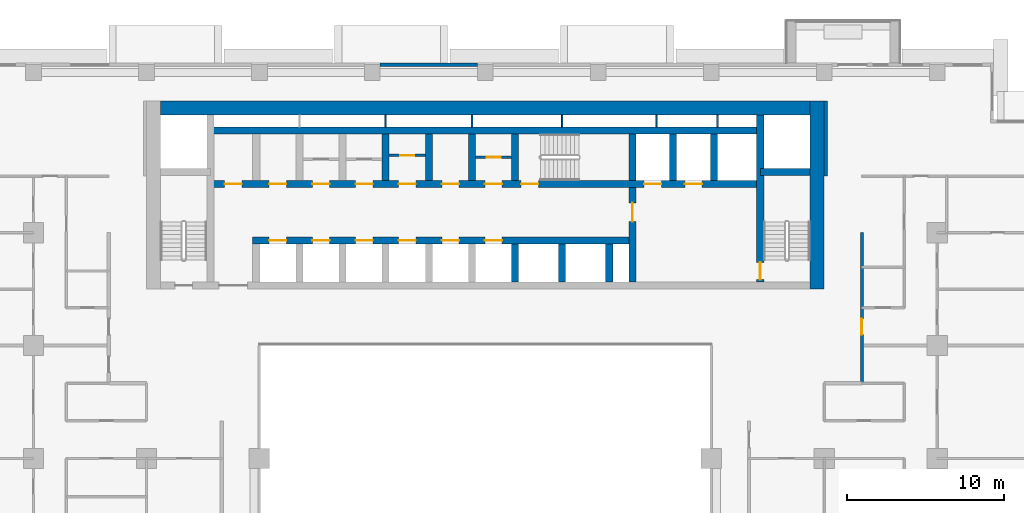
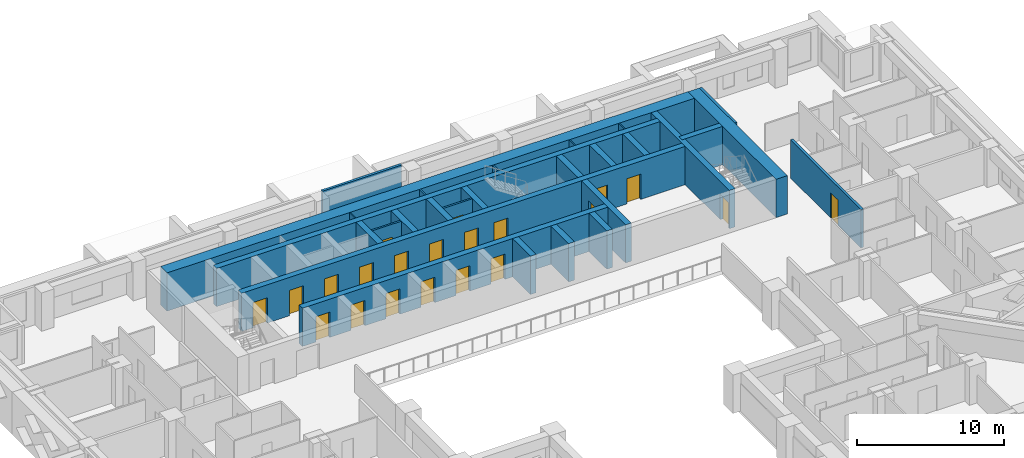
# One storey, part 10 of 16: 28 walls, 21 doors, 21 openings.
"""IFC4 building model written with IfcOpenShell, lengths in metres."""

import ifcopenshell
import ifcopenshell.guid

model = None  # the IFC model being written
_history = None  # IfcOwnerHistory: only IFC2X3 demands one
_inside = {}  # id of a spatial element -> (the spatial element, [elements in it])
_under = {}  # id of a project, library or spatial element -> (it, [spatial elements below it])
_declared = {}  # id of a project -> (the project, [libraries it declares])
_typed = {}  # id of a type object -> (the type object, [elements of that type])
_made_of = {}  # id of a material, layer set ... -> (it, [elements and type objects made of it])


def new_model(schema):
    """Start an empty IFC model of exactly this schema.

    Asked for "IFC4X3", IfcOpenShell would pick the latest addendum, in which some entities
    have other attributes; the version numbers below select the first issue.
    IFC2X3 requires an IfcOwnerHistory on every rooted entity: one is made here for all.
    """
    global model, _history
    if schema == "IFC4X3":
        model = ifcopenshell.file(schema_version=(4, 3, 0, 0))
    else:
        model = ifcopenshell.file(schema=schema)
    _inside.clear()
    _under.clear()
    _declared.clear()
    _typed.clear()
    _made_of.clear()
    _history = None
    if model.schema == "IFC2X3":
        org = make("IfcOrganization", Name="unknown")
        user = make(
            "IfcPersonAndOrganization",
            ThePerson=make("IfcPerson", FamilyName="unknown"),
            TheOrganization=org,
        )
        app = make(
            "IfcApplication",
            ApplicationDeveloper=org,
            Version="unknown",
            ApplicationFullName="unknown",
            ApplicationIdentifier="unknown",
        )
        _history = make(
            "IfcOwnerHistory",
            OwningUser=user,
            OwningApplication=app,
            ChangeAction="ADDED",
            CreationDate=0,
        )
    return model


def make(cls, **values):
    """One entity of the class cls with the attributes given. An attribute that is None is left unset."""
    return model.create_entity(
        cls, **{name: value for name, value in values.items() if value is not None}
    )


def rooted(cls, **values):
    """An entity with a GlobalId (a new one), such as an element, a storey or a relation."""
    return make(cls, GlobalId=ifcopenshell.guid.new(), OwnerHistory=_history, **values)


def si_unit(unit_type, name, prefix=None):
    """IfcSIUnit, for example si_unit("LENGTHUNIT", "METRE", prefix="MILLI")."""
    return make("IfcSIUnit", UnitType=unit_type, Prefix=prefix, Name=name)


def assignment(units):
    """IfcUnitAssignment: the units of a project."""
    return None if units is None else make("IfcUnitAssignment", Units=units)


def point(xyz):
    """IfcCartesianPoint."""
    return None if xyz is None else make("IfcCartesianPoint", Coordinates=xyz)


def direction(xyz):
    """IfcDirection."""
    return None if xyz is None else make("IfcDirection", DirectionRatios=xyz)


def frame(location, z_axis=None, x_axis=None):
    """IfcAxis2Placement3D, a coordinate frame: its origin and axes. An axis left out is left unset."""
    return make(
        "IfcAxis2Placement3D",
        Location=point(location),
        Axis=direction(z_axis),
        RefDirection=direction(x_axis),
    )


def frame_2d(location, x_axis=None):
    """IfcAxis2Placement2D, a coordinate frame in the plane: its origin and x axis."""
    return make(
        "IfcAxis2Placement2D", Location=point(location), RefDirection=direction(x_axis)
    )


def origin():
    """The frame at (0, 0, 0) with its axes left unset."""
    return frame((0.0, 0.0, 0.0))


def place(relative_to, where):
    """IfcLocalPlacement: puts the frame where relative to a parent placement (None: the world)."""
    return make(
        "IfcLocalPlacement", PlacementRelTo=relative_to, RelativePlacement=where
    )


def context(
    kind, dimensions, precision=None, world=None, true_north=None, identifier=None
):
    """IfcGeometricRepresentationContext, for example the 3D "Model" context."""
    return make(
        "IfcGeometricRepresentationContext",
        ContextIdentifier=identifier,
        ContextType=kind,
        CoordinateSpaceDimension=dimensions,
        Precision=precision,
        WorldCoordinateSystem=world,
        TrueNorth=true_north,
    )


def subcontext(parent, identifier, kind, view, scale=None):
    """IfcGeometricRepresentationSubContext, for example "Body" below "Model"."""
    return make(
        "IfcGeometricRepresentationSubContext",
        ContextIdentifier=identifier,
        ContextType=kind,
        ParentContext=parent,
        TargetScale=scale,
        TargetView=view,
    )


def project(units=None, contexts=None):
    """IfcProject with its units and contexts."""
    return rooted(
        "IfcProject",
        Name="project",
        RepresentationContexts=contexts,
        UnitsInContext=assignment(units),
    )


def spatial(cls, under=None, at=None, **own):
    """A site, building, storey or space (cls), placed at a placement, below another one or the project."""
    s = rooted(cls, ObjectPlacement=at, **own)
    if under is not None:
        _under.setdefault(under.id(), (under, []))[1].append(s)
    return s


def profile(cls, at=None, kind="AREA", **sizes):
    """A parametric profile (cls). Its sizes go by their IFC names, for example OverallWidth=200.0."""
    return make(cls, ProfileType=kind, Position=at, **sizes)


def rectangle(**sizes):
    """IfcRectangleProfileDef."""
    return profile("IfcRectangleProfileDef", **sizes)


def extrude(swept, where, along, depth):
    """IfcExtrudedAreaSolid: the profile swept, set in the frame where, extruded along a direction by depth."""
    return make(
        "IfcExtrudedAreaSolid",
        SweptArea=swept,
        Position=where,
        ExtrudedDirection=direction(along),
        Depth=depth,
    )


def shape(context_of_items, identifier, shape_type, items):
    """IfcShapeRepresentation: the items that make up one representation, for example the "Body"."""
    return make(
        "IfcShapeRepresentation",
        ContextOfItems=context_of_items,
        RepresentationIdentifier=identifier,
        RepresentationType=shape_type,
        Items=items,
    )


def material(Name=None, Category=None):
    """IfcMaterial."""
    return make("IfcMaterial", Name=Name, Category=Category)


def layer(
    of_material, thickness, ventilated=None, Name=None, Category=None, Priority=None
):
    """IfcMaterialLayer: one layer of a wall or slab, of a material (None: an air gap)."""
    return make(
        "IfcMaterialLayer",
        Material=of_material,
        LayerThickness=thickness,
        IsVentilated=ventilated,
        Name=Name,
        Category=Category,
        Priority=Priority,
    )


def layer_set(layers, Name=None):
    """IfcMaterialLayerSet."""
    return make("IfcMaterialLayerSet", MaterialLayers=layers, LayerSetName=Name)


def made_of(thing, what):
    """Note that an element or type object is made of a material, layer set ...; save() writes the relation."""
    if what is not None:
        _made_of.setdefault(what.id(), (what, []))[1].append(thing)
    return thing


def type_object(cls, material=None, **own):
    """A type object (cls), such as IfcWallType, which elements share."""
    return made_of(rooted(cls, **own), material)


def element(
    cls,
    number,
    at=None,
    inside=None,
    cuts=None,
    type_object=None,
    material=None,
    context=None,
    identifier="Body",
    shape_type=None,
    held_by="IfcProductDefinitionShape",
    body=None,
    shapes=None,
    **own,
):
    """One element of the class cls, such as IfcWall. Its Tag is "e" and its number.

    at: its placement. inside: the storey or other place that contains it. cuts: it is an
    opening in that element (IfcRelVoidsElement). A single representation is given by context,
    identifier, shape_type and body (its items); several are given by shapes. held_by: the class
    of the entity that holds the representations. save() writes the other relations.
    """
    e = rooted(cls, Tag="e%d" % number, ObjectPlacement=at, **own)
    if body is not None:
        shapes = [shape(context, identifier, shape_type, body)]
    if shapes is not None:
        e.Representation = make(held_by, Representations=shapes)
    if inside is not None:
        _inside.setdefault(inside.id(), (inside, []))[1].append(e)
    if cuts is not None:
        rooted(
            "IfcRelVoidsElement", RelatingBuildingElement=cuts, RelatedOpeningElement=e
        )
    if type_object is not None:
        _typed.setdefault(type_object.id(), (type_object, []))[1].append(e)
    return made_of(e, material)


def fill(opening, filler):
    """IfcRelFillsElement: the door or window that sits in an opening."""
    return rooted(
        "IfcRelFillsElement",
        RelatingOpeningElement=opening,
        RelatedBuildingElement=filler,
    )


def aggregate(whole, parts):
    """IfcRelAggregates: a whole, such as a stair, and the parts it consists of."""
    return rooted("IfcRelAggregates", RelatingObject=whole, RelatedObjects=parts)


def save(model, path):
    """Write the relations noted so far, then the file.

    IfcRelAggregates (storeys below a building ...), IfcRelContainedInSpatialStructure (elements
    in a storey), IfcRelDefinesByType, IfcRelAssociatesMaterial and IfcRelDeclares: one each for
    every whole, place, type object, material and project.
    """
    for whole, parts in _under.values():
        aggregate(whole, parts)
    for where, things in _inside.values():
        rooted(
            "IfcRelContainedInSpatialStructure",
            RelatedElements=things,
            RelatingStructure=where,
        )
    for kind, things in _typed.values():
        rooted("IfcRelDefinesByType", RelatedObjects=things, RelatingType=kind)
    for what, things in _made_of.values():
        rooted("IfcRelAssociatesMaterial", RelatedObjects=things, RelatingMaterial=what)
    for by, libraries in _declared.values():
        rooted("IfcRelDeclares", RelatingContext=by, RelatedDefinitions=libraries)
    model.write(path)


model = new_model("IFC4")

# Units and contexts
model_context = context("Model", 3, precision=1e-05, world=origin(), true_north=direction((0.0, 1.0)))
body_context = subcontext(model_context, "Body", "Model", "MODEL_VIEW")
ifc_project = project(units=[si_unit("LENGTHUNIT", "METRE"), si_unit("AREAUNIT", "SQUARE_METRE"), si_unit("VOLUMEUNIT", "CUBIC_METRE"), si_unit("PLANEANGLEUNIT", "RADIAN"), si_unit("MASSUNIT", "GRAM", prefix="KILO")], contexts=[model_context])

# Site, building, storey
site_placement = place(None, origin())
site = spatial("IfcSite", under=ifc_project, at=site_placement, CompositionType="ELEMENT")
building_placement = place(site_placement, origin())
building = spatial("IfcBuilding", under=site, at=building_placement, Name="Saffron Iwan Residences", CompositionType="ELEMENT")
storey_placement = place(building_placement, frame((0.0, 0.0, 69.0)))
storey = spatial("IfcBuildingStorey", under=building, at=storey_placement, Name="L17", CompositionType="ELEMENT", Elevation=69.0)

# Wall, opening, door
ifc_material_1 = material(Name="Fire-rated plasterboard partition")
ifc_layer_1 = layer(ifc_material_1, 0.14990234375)
ifc_layer_set_1 = layer_set([ifc_layer_1], Name="Fire-rated plasterboard partition")
wall_type_1 = type_object("IfcWallType", Name="Core partition 150", PredefinedType="PARTITIONING", material=ifc_layer_set_1)
wall_1_placement = place(storey_placement, frame((44.27490234375, 74.51806640625, 0.0), z_axis=(0.0, 0.0, 1.0), x_axis=(1.0, 0.0, 0.0)))
wall_1 = element("IfcWall", 1, at=wall_1_placement, inside=storey, type_object=wall_type_1, Name="Core partition P03", PredefinedType="PARTITIONING", context=body_context, shape_type="SweptSolid", body=[
    extrude(rectangle(XDim=2.300048828125, YDim=0.14990234375, at=frame_2d((1.14990234375, 0.0))), origin(), (0.0, 0.0, 1.0), 3.179931640625),
])
opening_1_placement = place(wall_1_placement, frame((0.699951171875, 0.0, 0.0)))
opening_1 = element("IfcOpeningElement", 2, at=opening_1_placement, cuts=wall_1, Name="Opening SB", PredefinedType="OPENING", context=body_context, shape_type="SweptSolid", body=[
    extrude(rectangle(XDim=0.89990234375, YDim=2.10009765625, at=frame_2d((0.449951171875, 1.050048828125))), frame((0.0, 0.0849609375, 0.0), z_axis=(0.0, -1.0, 0.0), x_axis=(1.0, 0.0, 0.0)), (0.0, 0.0, 1.0), 0.169921875),
])
ifc_material_2 = material(Name="Steel fire door", Category="steel")
door_type_1 = type_object("IfcDoorType", Name="Store door 900", OperationType="NOTDEFINED", PredefinedType="DOOR", material=ifc_material_2)
door_1_placement = place(opening_1_placement, origin())
door_1 = element("IfcDoor", 3, at=door_1_placement, inside=storey, type_object=door_type_1, Name="Door Spares store", OperationType="SINGLE_SWING_LEFT", OverallHeight=2.10009765625, OverallWidth=0.89990234375, PredefinedType="DOOR", context=body_context, shape_type="SweptSolid", body=[
    extrude(rectangle(XDim=0.89990234375, YDim=2.10009765625, at=frame_2d((0.449951171875, 1.050048828125))), frame((0.0, 0.02490234375, 0.0), z_axis=(0.0, -1.0, 0.0), x_axis=(1.0, 0.0, 0.0)), (0.0, 0.0, 1.0), 0.050048828125),
])
fill(opening_1, door_1)

wall_2_placement = place(storey_placement, frame((49.77490234375, 74.39990234375, 0.0), z_axis=(0.0, 0.0, 1.0), x_axis=(1.0, 0.0, 0.0)))
wall_2 = element("IfcWall", 4, at=wall_2_placement, inside=storey, type_object=wall_type_1, Name="Core partition P04", PredefinedType="PARTITIONING", context=body_context, shape_type="SweptSolid", body=[
    extrude(rectangle(XDim=2.300048828125, YDim=0.14990234375, at=frame_2d((1.14990234375, 0.0))), origin(), (0.0, 0.0, 1.0), 3.179931640625),
])
opening_2_placement = place(wall_2_placement, frame((0.699951171875, 0.0, 0.0)))
opening_2 = element("IfcOpeningElement", 5, at=opening_2_placement, cuts=wall_2, Name="Opening SB", PredefinedType="OPENING", context=body_context, shape_type="SweptSolid", body=[
    extrude(rectangle(XDim=0.89990234375, YDim=2.10009765625, at=frame_2d((0.449951171875, 1.050048828125))), frame((0.0, 0.0849609375, 0.0), z_axis=(0.0, -1.0, 0.0), x_axis=(1.0, 0.0, 0.0)), (0.0, 0.0, 1.0), 0.169921875),
])
door_2_placement = place(opening_2_placement, origin())
door_2 = element("IfcDoor", 6, at=door_2_placement, inside=storey, type_object=door_type_1, Name="Door Records store", OperationType="SINGLE_SWING_RIGHT", OverallHeight=2.10009765625, OverallWidth=0.89990234375, PredefinedType="DOOR", context=body_context, shape_type="SweptSolid", body=[
    extrude(rectangle(XDim=0.89990234375, YDim=2.10009765625, at=frame_2d((0.449951171875, 1.050048828125))), frame((0.0, 0.02490234375, 0.0), z_axis=(0.0, -1.0, 0.0), x_axis=(1.0, 0.0, 0.0)), (0.0, 0.0, 1.0), 0.050048828125),
])
fill(opening_2, door_2)

# Walls
ifc_material_3 = material(Name="Concrete C40/50", Category="concrete")
ifc_layer_2 = layer(ifc_material_3, 0.199951171875)
ifc_layer_set_2 = layer_set([ifc_layer_2], Name="Concrete C40/50")
wall_type_2 = type_object("IfcWallType", Name="EXTERNAL WALL 200", PredefinedType="SOLIDWALL", material=ifc_layer_set_2)
wall_3_placement = place(storey_placement, frame((49.89990234375, 80.300048828125, 0.0), z_axis=(0.0, 0.0, 1.0), x_axis=(-1.0, 0.0, 0.0)))
element("IfcWall", 7, at=wall_3_placement, inside=storey, type_object=wall_type_2, Name="External wall L17 F5.5", PredefinedType="SOLIDWALL", context=body_context, shape_type="SweptSolid", body=[
    extrude(rectangle(XDim=6.199951171875, YDim=0.199951171875, at=frame_2d((3.10009765625, 0.0))), origin(), (0.0, 0.0, 1.0), 3.179931640625),
])
ifc_material_4 = material(Name="Fire-rated gypsum board wall")
ifc_layer_3 = layer(ifc_material_4, 0.199951171875)
ifc_layer_set_3 = layer_set([ifc_layer_3], Name="Fire-rated gypsum board wall")
wall_type_3 = type_object("IfcWallType", Name="Gallery wall 200", PredefinedType="SOLIDWALL", material=ifc_layer_set_3)
wall_4_placement = place(storey_placement, frame((72.10009765625, 73.199951171875, 0.0), z_axis=(0.0, 0.0, 1.0), x_axis=(0.0, 1.0, 0.0)))
element("IfcWall", 8, at=wall_4_placement, inside=storey, type_object=wall_type_3, Name="W-L17-CORR-v72-73.2", PredefinedType="SOLIDWALL", context=body_context, shape_type="SweptSolid", body=[
    extrude(rectangle(XDim=4.800048828125, YDim=0.199951171875, at=frame_2d((2.39990234375, 0.0))), origin(), (0.0, 0.0, 1.0), 3.179931640625),
])

# Wall, opening, door
wall_5_placement = place(storey_placement, frame((74.39990234375, 60.0, 0.0), z_axis=(0.0, 0.0, 1.0), x_axis=(0.0, 1.0, 0.0)))
wall_5 = element("IfcWall", 9, at=wall_5_placement, inside=storey, type_object=wall_type_3, Name="W-L17-CORR-v74.4-60", PredefinedType="SOLIDWALL", context=body_context, shape_type="SweptSolid", body=[
    extrude(rectangle(XDim=9.60009765625, YDim=0.199951171875, at=frame_2d((4.800048828125, 0.0))), origin(), (0.0, 0.0, 1.0), 3.179931640625),
])
opening_3_placement = place(wall_5_placement, frame((3.10009765625, 0.0, 0.0)))
opening_3 = element("IfcOpeningElement", 10, at=opening_3_placement, cuts=wall_5, Name="Opening FD1", PredefinedType="OPENING", context=body_context, shape_type="SweptSolid", body=[
    extrude(rectangle(XDim=1.0, YDim=2.10009765625, at=frame_2d((0.5, 1.050048828125))), frame((0.0, 0.10986328125, 0.0), z_axis=(0.0, -1.0, 0.0), x_axis=(1.0, 0.0, 0.0)), (0.0, 0.0, 1.0), 0.219970703125),
])
ifc_material_5 = material(Name="Fire-rated timber door", Category="wood")
door_type_2 = type_object("IfcDoorType", Name="FD30S flat entrance door 1000", OperationType="NOTDEFINED", PredefinedType="DOOR", material=ifc_material_5)
door_3_placement = place(opening_3_placement, origin())
door_3 = element("IfcDoor", 11, at=door_3_placement, inside=storey, type_object=door_type_2, Name="Door L17-034", OperationType="SINGLE_SWING_LEFT", OverallHeight=2.10009765625, OverallWidth=1.0, PredefinedType="DOOR", context=body_context, shape_type="SweptSolid", body=[
    extrude(rectangle(XDim=1.0, YDim=2.10009765625, at=frame_2d((0.5, 1.050048828125))), frame((0.0, 0.02490234375, 0.0), z_axis=(0.0, -1.0, 0.0), x_axis=(1.0, 0.0, 0.0)), (0.0, 0.0, 1.0), 0.050048828125),
])
fill(opening_3, door_3)

# Walls
ifc_layer_4 = layer(ifc_material_1, 0.10009765625)
ifc_layer_set_4 = layer_set([ifc_layer_4], Name="Fire-rated plasterboard partition")
wall_type_4 = type_object("IfcWallType", Name="Riser partition 100", PredefinedType="PARTITIONING", material=ifc_layer_set_4)
for number, where, z_axis, x_axis, name in (
    (12, (44.050048828125, 76.324951171875, 0.0), (0.0, 0.0, 1.0), (0.0, 1.0, 0.0), "Core partition P06"),
    (13, (49.550048828125, 76.324951171875, 0.0), (0.0, 0.0, 1.0), (0.0, 1.0, 0.0), "Core partition P07"),
    (14, (55.300048828125, 76.324951171875, 0.0), (0.0, 0.0, 1.0), (0.0, 1.0, 0.0), "Core partition P08"),
    (15, (61.300048828125, 76.324951171875, 0.0), (0.0, 0.0, 1.0), (0.0, 1.0, 0.0), "Core partition P09"),
    (16, (65.199951171875, 76.324951171875, 0.0), (0.0, 0.0, 1.0), (0.0, 1.0, 0.0), "Core partition P10"),
):
    element("IfcWall", number, at=place(storey_placement, frame(where, z_axis=z_axis, x_axis=x_axis)), inside=storey, type_object=wall_type_4, Name=name, PredefinedType="PARTITIONING", context=body_context, shape_type="SweptSolid", body=[
        extrude(rectangle(XDim=0.775146484375, YDim=0.10009765625, at=frame_2d((0.3876953125, 0.0))), origin(), (0.0, 0.0, 1.0), 3.179931640625),
    ])

# Wall, openings, doors
ifc_material_6 = material(Name="Concrete C60/75", Category="concrete")
ifc_layer_5 = layer(ifc_material_6, 0.449951171875)
ifc_layer_set_5 = layer_set([ifc_layer_5], Name="Concrete C60/75")
wall_type_5 = type_object("IfcWallType", Name="WALL CORE 450 C60/75 3180 HIGH", PredefinedType="SHEAR", material=ifc_layer_set_5)
wall_6_placement = place(storey_placement, frame((35.574951171875, 69.10009765625, 0.0), z_axis=(0.0, 0.0, 1.0), x_axis=(1.0, 0.0, 0.0)))
wall_6 = element("IfcWall", 17, at=wall_6_placement, inside=storey, type_object=wall_type_5, Name="Core wall", PredefinedType="SHEAR", context=body_context, shape_type="SweptSolid", body=[
    extrude(rectangle(XDim=24.199951171875, YDim=0.449951171875, at=frame_2d((12.10009765625, 0.0))), origin(), (0.0, 0.0, 1.0), 3.179931640625),
])
opening_4_placement = place(wall_6_placement, frame((1.050048828125, 0.0, 0.0)))
opening_4 = element("IfcOpeningElement", 18, at=opening_4_placement, cuts=wall_6, Name="Opening LD", PredefinedType="OPENING", context=body_context, shape_type="SweptSolid", body=[
    extrude(rectangle(XDim=1.10009765625, YDim=2.10009765625, at=frame_2d((0.550048828125, 1.050048828125))), frame((0.0, 0.23486328125, 0.0), z_axis=(0.0, -1.0, 0.0), x_axis=(1.0, 0.0, 0.0)), (0.0, 0.0, 1.0), 0.469970703125),
])
opening_5_placement = place(wall_6_placement, frame((3.800048828125, 0.0, 0.0)))
opening_5 = element("IfcOpeningElement", 19, at=opening_5_placement, cuts=wall_6, Name="Opening LD", PredefinedType="OPENING", context=body_context, shape_type="SweptSolid", body=[
    extrude(rectangle(XDim=1.10009765625, YDim=2.10009765625, at=frame_2d((0.550048828125, 1.050048828125))), frame((0.0, 0.23486328125, 0.0), z_axis=(0.0, -1.0, 0.0), x_axis=(1.0, 0.0, 0.0)), (0.0, 0.0, 1.0), 0.469970703125),
])
opening_6_placement = place(wall_6_placement, frame((6.550048828125, 0.0, 0.0)))
opening_6 = element("IfcOpeningElement", 20, at=opening_6_placement, cuts=wall_6, Name="Opening LD", PredefinedType="OPENING", context=body_context, shape_type="SweptSolid", body=[
    extrude(rectangle(XDim=1.10009765625, YDim=2.10009765625, at=frame_2d((0.550048828125, 1.050048828125))), frame((0.0, 0.23486328125, 0.0), z_axis=(0.0, -1.0, 0.0), x_axis=(1.0, 0.0, 0.0)), (0.0, 0.0, 1.0), 0.469970703125),
])
opening_7_placement = place(wall_6_placement, frame((9.300048828125, 0.0, 0.0)))
opening_7 = element("IfcOpeningElement", 21, at=opening_7_placement, cuts=wall_6, Name="Opening LD", PredefinedType="OPENING", context=body_context, shape_type="SweptSolid", body=[
    extrude(rectangle(XDim=1.10009765625, YDim=2.10009765625, at=frame_2d((0.550048828125, 1.050048828125))), frame((0.0, 0.23486328125, 0.0), z_axis=(0.0, -1.0, 0.0), x_axis=(1.0, 0.0, 0.0)), (0.0, 0.0, 1.0), 0.469970703125),
])
opening_8_placement = place(wall_6_placement, frame((12.050048828125, 0.0, 0.0)))
opening_8 = element("IfcOpeningElement", 22, at=opening_8_placement, cuts=wall_6, Name="Opening LD", PredefinedType="OPENING", context=body_context, shape_type="SweptSolid", body=[
    extrude(rectangle(XDim=1.10009765625, YDim=2.10009765625, at=frame_2d((0.550048828125, 1.050048828125))), frame((0.0, 0.23486328125, 0.0), z_axis=(0.0, -1.0, 0.0), x_axis=(1.0, 0.0, 0.0)), (0.0, 0.0, 1.0), 0.469970703125),
])
opening_9_placement = place(wall_6_placement, frame((14.800048828125, 0.0, 0.0)))
opening_9 = element("IfcOpeningElement", 23, at=opening_9_placement, cuts=wall_6, Name="Opening LD", PredefinedType="OPENING", context=body_context, shape_type="SweptSolid", body=[
    extrude(rectangle(XDim=1.10009765625, YDim=2.10009765625, at=frame_2d((0.550048828125, 1.050048828125))), frame((0.0, 0.23486328125, 0.0), z_axis=(0.0, -1.0, 0.0), x_axis=(1.0, 0.0, 0.0)), (0.0, 0.0, 1.0), 0.469970703125),
])
door_type_3 = type_object("IfcDoorType", Name="Lift landing door 1100", OperationType="SLIDING_TO_LEFT", PredefinedType="DOOR", material=ifc_material_2)
door_4_placement = place(opening_4_placement, origin())
door_4 = element("IfcDoor", 24, at=door_4_placement, inside=storey, type_object=door_type_3, Name="Landing doors LR1", OperationType="SLIDING_TO_LEFT", OverallHeight=2.10009765625, OverallWidth=1.10009765625, PredefinedType="DOOR", context=body_context, shape_type="SweptSolid", body=[
    extrude(rectangle(XDim=1.10009765625, YDim=2.10009765625, at=frame_2d((0.550048828125, 1.050048828125))), frame((0.0, 0.02490234375, 0.0), z_axis=(0.0, -1.0, 0.0), x_axis=(1.0, 0.0, 0.0)), (0.0, 0.0, 1.0), 0.050048828125),
])
fill(opening_4, door_4)
door_5_placement = place(opening_5_placement, origin())
door_5 = element("IfcDoor", 25, at=door_5_placement, inside=storey, type_object=door_type_3, Name="Landing doors LR2", OperationType="SLIDING_TO_LEFT", OverallHeight=2.10009765625, OverallWidth=1.10009765625, PredefinedType="DOOR", context=body_context, shape_type="SweptSolid", body=[
    extrude(rectangle(XDim=1.10009765625, YDim=2.10009765625, at=frame_2d((0.550048828125, 1.050048828125))), frame((0.0, 0.02490234375, 0.0), z_axis=(0.0, -1.0, 0.0), x_axis=(1.0, 0.0, 0.0)), (0.0, 0.0, 1.0), 0.050048828125),
])
fill(opening_5, door_5)
door_6_placement = place(opening_6_placement, origin())
door_6 = element("IfcDoor", 26, at=door_6_placement, inside=storey, type_object=door_type_3, Name="Landing doors LR3", OperationType="SLIDING_TO_LEFT", OverallHeight=2.10009765625, OverallWidth=1.10009765625, PredefinedType="DOOR", context=body_context, shape_type="SweptSolid", body=[
    extrude(rectangle(XDim=1.10009765625, YDim=2.10009765625, at=frame_2d((0.550048828125, 1.050048828125))), frame((0.0, 0.02490234375, 0.0), z_axis=(0.0, -1.0, 0.0), x_axis=(1.0, 0.0, 0.0)), (0.0, 0.0, 1.0), 0.050048828125),
])
fill(opening_6, door_6)
door_7_placement = place(opening_7_placement, origin())
door_7 = element("IfcDoor", 27, at=door_7_placement, inside=storey, type_object=door_type_3, Name="Landing doors LR4", OperationType="SLIDING_TO_LEFT", OverallHeight=2.10009765625, OverallWidth=1.10009765625, PredefinedType="DOOR", context=body_context, shape_type="SweptSolid", body=[
    extrude(rectangle(XDim=1.10009765625, YDim=2.10009765625, at=frame_2d((0.550048828125, 1.050048828125))), frame((0.0, 0.02490234375, 0.0), z_axis=(0.0, -1.0, 0.0), x_axis=(1.0, 0.0, 0.0)), (0.0, 0.0, 1.0), 0.050048828125),
])
fill(opening_7, door_7)
door_8_placement = place(opening_8_placement, origin())
door_8 = element("IfcDoor", 28, at=door_8_placement, inside=storey, type_object=door_type_3, Name="Landing doors LR5", OperationType="SLIDING_TO_LEFT", OverallHeight=2.10009765625, OverallWidth=1.10009765625, PredefinedType="DOOR", context=body_context, shape_type="SweptSolid", body=[
    extrude(rectangle(XDim=1.10009765625, YDim=2.10009765625, at=frame_2d((0.550048828125, 1.050048828125))), frame((0.0, 0.02490234375, 0.0), z_axis=(0.0, -1.0, 0.0), x_axis=(1.0, 0.0, 0.0)), (0.0, 0.0, 1.0), 0.050048828125),
])
fill(opening_8, door_8)
door_9_placement = place(opening_9_placement, origin())
door_9 = element("IfcDoor", 29, at=door_9_placement, inside=storey, type_object=door_type_3, Name="Landing doors LR6", OperationType="SLIDING_TO_LEFT", OverallHeight=2.10009765625, OverallWidth=1.10009765625, PredefinedType="DOOR", context=body_context, shape_type="SweptSolid", body=[
    extrude(rectangle(XDim=1.10009765625, YDim=2.10009765625, at=frame_2d((0.550048828125, 1.050048828125))), frame((0.0, 0.02490234375, 0.0), z_axis=(0.0, -1.0, 0.0), x_axis=(1.0, 0.0, 0.0)), (0.0, 0.0, 1.0), 0.050048828125),
])
fill(opening_9, door_9)

wall_7_placement = place(storey_placement, frame((32.875, 72.699951171875, 0.0), z_axis=(0.0, 0.0, 1.0), x_axis=(1.0, 0.0, 0.0)))
wall_7 = element("IfcWall", 30, at=wall_7_placement, inside=storey, type_object=wall_type_5, Name="Core wall", PredefinedType="SHEAR", context=body_context, shape_type="SweptSolid", body=[
    extrude(rectangle(XDim=35.050048828125, YDim=0.449951171875, at=frame_2d((17.52490234375, 0.0))), origin(), (0.0, 0.0, 1.0), 3.179931640625),
])
opening_10_placement = place(wall_7_placement, frame((19.800048828125, 0.0, 0.0)))
opening_10 = element("IfcOpeningElement", 31, at=opening_10_placement, cuts=wall_7, Name="Opening SD", PredefinedType="OPENING", context=body_context, shape_type="SweptSolid", body=[
    extrude(rectangle(XDim=1.10009765625, YDim=2.10009765625, at=frame_2d((0.550048828125, 1.050048828125))), frame((0.0, 0.23486328125, 0.0), z_axis=(0.0, -1.0, 0.0), x_axis=(1.0, 0.0, 0.0)), (0.0, 0.0, 1.0), 0.469970703125),
])
opening_11_placement = place(wall_7_placement, frame((27.64990234375, 0.0, 0.0)))
opening_11 = element("IfcOpeningElement", 32, at=opening_11_placement, cuts=wall_7, Name="Opening LD", PredefinedType="OPENING", context=body_context, shape_type="SweptSolid", body=[
    extrude(rectangle(XDim=1.10009765625, YDim=2.10009765625, at=frame_2d((0.550048828125, 1.050048828125))), frame((0.0, 0.23486328125, 0.0), z_axis=(0.0, -1.0, 0.0), x_axis=(1.0, 0.0, 0.0)), (0.0, 0.0, 1.0), 0.469970703125),
])
opening_12_placement = place(wall_7_placement, frame((30.25, 0.0, 0.0)))
opening_12 = element("IfcOpeningElement", 33, at=opening_12_placement, cuts=wall_7, Name="Opening LD", PredefinedType="OPENING", context=body_context, shape_type="SweptSolid", body=[
    extrude(rectangle(XDim=1.10009765625, YDim=2.10009765625, at=frame_2d((0.550048828125, 1.050048828125))), frame((0.0, 0.23486328125, 0.0), z_axis=(0.0, -1.0, 0.0), x_axis=(1.0, 0.0, 0.0)), (0.0, 0.0, 1.0), 0.469970703125),
])
opening_13_placement = place(wall_7_placement, frame((3.75, 0.0, 0.0)))
opening_13 = element("IfcOpeningElement", 34, at=opening_13_placement, cuts=wall_7, Name="Opening SR", PredefinedType="OPENING", context=body_context, shape_type="SweptSolid", body=[
    extrude(rectangle(XDim=1.10009765625, YDim=2.10009765625, at=frame_2d((0.550048828125, 1.050048828125))), frame((0.0, 0.23486328125, 0.0), z_axis=(0.0, -1.0, 0.0), x_axis=(1.0, 0.0, 0.0)), (0.0, 0.0, 1.0), 0.469970703125),
])
opening_14_placement = place(wall_7_placement, frame((6.5, 0.0, 0.0)))
opening_14 = element("IfcOpeningElement", 35, at=opening_14_placement, cuts=wall_7, Name="Opening SR", PredefinedType="OPENING", context=body_context, shape_type="SweptSolid", body=[
    extrude(rectangle(XDim=1.10009765625, YDim=2.10009765625, at=frame_2d((0.550048828125, 1.050048828125))), frame((0.0, 0.23486328125, 0.0), z_axis=(0.0, -1.0, 0.0), x_axis=(1.0, 0.0, 0.0)), (0.0, 0.0, 1.0), 0.469970703125),
])
opening_15_placement = place(wall_7_placement, frame((9.25, 0.0, 0.0)))
opening_15 = element("IfcOpeningElement", 36, at=opening_15_placement, cuts=wall_7, Name="Opening SR", PredefinedType="OPENING", context=body_context, shape_type="SweptSolid", body=[
    extrude(rectangle(XDim=1.10009765625, YDim=2.10009765625, at=frame_2d((0.550048828125, 1.050048828125))), frame((0.0, 0.23486328125, 0.0), z_axis=(0.0, -1.0, 0.0), x_axis=(1.0, 0.0, 0.0)), (0.0, 0.0, 1.0), 0.469970703125),
])
opening_16_placement = place(wall_7_placement, frame((12.0, 0.0, 0.0)))
opening_16 = element("IfcOpeningElement", 37, at=opening_16_placement, cuts=wall_7, Name="Opening SR", PredefinedType="OPENING", context=body_context, shape_type="SweptSolid", body=[
    extrude(rectangle(XDim=1.10009765625, YDim=2.10009765625, at=frame_2d((0.550048828125, 1.050048828125))), frame((0.0, 0.23486328125, 0.0), z_axis=(0.0, -1.0, 0.0), x_axis=(1.0, 0.0, 0.0)), (0.0, 0.0, 1.0), 0.469970703125),
])
opening_17_placement = place(wall_7_placement, frame((14.75, 0.0, 0.0)))
opening_17 = element("IfcOpeningElement", 38, at=opening_17_placement, cuts=wall_7, Name="Opening SR", PredefinedType="OPENING", context=body_context, shape_type="SweptSolid", body=[
    extrude(rectangle(XDim=1.10009765625, YDim=2.10009765625, at=frame_2d((0.550048828125, 1.050048828125))), frame((0.0, 0.23486328125, 0.0), z_axis=(0.0, -1.0, 0.0), x_axis=(1.0, 0.0, 0.0)), (0.0, 0.0, 1.0), 0.469970703125),
])
opening_18_placement = place(wall_7_placement, frame((17.5, 0.0, 0.0)))
opening_18 = element("IfcOpeningElement", 39, at=opening_18_placement, cuts=wall_7, Name="Opening SR", PredefinedType="OPENING", context=body_context, shape_type="SweptSolid", body=[
    extrude(rectangle(XDim=1.10009765625, YDim=2.10009765625, at=frame_2d((0.550048828125, 1.050048828125))), frame((0.0, 0.23486328125, 0.0), z_axis=(0.0, -1.0, 0.0), x_axis=(1.0, 0.0, 0.0)), (0.0, 0.0, 1.0), 0.469970703125),
])
opening_19_placement = place(wall_7_placement, frame((0.91259765625, 0.0, 0.0)))
opening_19 = element("IfcOpeningElement", 40, at=opening_19_placement, cuts=wall_7, Name="Opening SR", PredefinedType="OPENING", context=body_context, shape_type="SweptSolid", body=[
    extrude(rectangle(XDim=1.10009765625, YDim=2.10009765625, at=frame_2d((0.550048828125, 1.050048828125))), frame((0.0, 0.23486328125, 0.0), z_axis=(0.0, -1.0, 0.0), x_axis=(1.0, 0.0, 0.0)), (0.0, 0.0, 1.0), 0.469970703125),
])
door_10_placement = place(opening_11_placement, origin())
door_10 = element("IfcDoor", 41, at=door_10_placement, inside=storey, type_object=door_type_3, Name="Landing doors FF1", OperationType="SLIDING_TO_LEFT", OverallHeight=2.10009765625, OverallWidth=1.10009765625, PredefinedType="DOOR", context=body_context, shape_type="SweptSolid", body=[
    extrude(rectangle(XDim=1.10009765625, YDim=2.10009765625, at=frame_2d((0.550048828125, 1.050048828125))), frame((0.0, 0.02490234375, 0.0), z_axis=(0.0, -1.0, 0.0), x_axis=(1.0, 0.0, 0.0)), (0.0, 0.0, 1.0), 0.050048828125),
])
fill(opening_11, door_10)
door_11_placement = place(opening_12_placement, origin())
door_11 = element("IfcDoor", 42, at=door_11_placement, inside=storey, type_object=door_type_3, Name="Landing doors FF2", OperationType="SLIDING_TO_LEFT", OverallHeight=2.10009765625, OverallWidth=1.10009765625, PredefinedType="DOOR", context=body_context, shape_type="SweptSolid", body=[
    extrude(rectangle(XDim=1.10009765625, YDim=2.10009765625, at=frame_2d((0.550048828125, 1.050048828125))), frame((0.0, 0.02490234375, 0.0), z_axis=(0.0, -1.0, 0.0), x_axis=(1.0, 0.0, 0.0)), (0.0, 0.0, 1.0), 0.050048828125),
])
fill(opening_12, door_11)
door_type_4 = type_object("IfcDoorType", Name="Service door 1100", OperationType="NOTDEFINED", PredefinedType="DOOR", material=ifc_material_2)
door_12_placement = place(opening_13_placement, origin())
door_12 = element("IfcDoor", 43, at=door_12_placement, inside=storey, type_object=door_type_4, Name="Door Furniture store", OperationType="SINGLE_SWING_LEFT", OverallHeight=2.10009765625, OverallWidth=1.10009765625, PredefinedType="DOOR", context=body_context, shape_type="SweptSolid", body=[
    extrude(rectangle(XDim=1.10009765625, YDim=2.10009765625, at=frame_2d((0.550048828125, 1.050048828125))), frame((0.0, 0.02490234375, 0.0), z_axis=(0.0, -1.0, 0.0), x_axis=(1.0, 0.0, 0.0)), (0.0, 0.0, 1.0), 0.050048828125),
])
fill(opening_13, door_12)
door_13_placement = place(opening_14_placement, origin())
door_13 = element("IfcDoor", 44, at=door_13_placement, inside=storey, type_object=door_type_4, Name="Door Housekeeping store", OperationType="SINGLE_SWING_LEFT", OverallHeight=2.10009765625, OverallWidth=1.10009765625, PredefinedType="DOOR", context=body_context, shape_type="SweptSolid", body=[
    extrude(rectangle(XDim=1.10009765625, YDim=2.10009765625, at=frame_2d((0.550048828125, 1.050048828125))), frame((0.0, 0.02490234375, 0.0), z_axis=(0.0, -1.0, 0.0), x_axis=(1.0, 0.0, 0.0)), (0.0, 0.0, 1.0), 0.050048828125),
])
fill(opening_14, door_13)
door_14_placement = place(opening_15_placement, origin())
door_14 = element("IfcDoor", 45, at=door_14_placement, inside=storey, type_object=door_type_4, Name="Door Cleaner's store", OperationType="SINGLE_SWING_LEFT", OverallHeight=2.10009765625, OverallWidth=1.10009765625, PredefinedType="DOOR", context=body_context, shape_type="SweptSolid", body=[
    extrude(rectangle(XDim=1.10009765625, YDim=2.10009765625, at=frame_2d((0.550048828125, 1.050048828125))), frame((0.0, 0.02490234375, 0.0), z_axis=(0.0, -1.0, 0.0), x_axis=(1.0, 0.0, 0.0)), (0.0, 0.0, 1.0), 0.050048828125),
])
fill(opening_15, door_14)
door_15_placement = place(opening_16_placement, origin())
door_15 = element("IfcDoor", 46, at=door_15_placement, inside=storey, type_object=door_type_4, Name="Door Trolley store", OperationType="SINGLE_SWING_LEFT", OverallHeight=2.10009765625, OverallWidth=1.10009765625, PredefinedType="DOOR", context=body_context, shape_type="SweptSolid", body=[
    extrude(rectangle(XDim=1.10009765625, YDim=2.10009765625, at=frame_2d((0.550048828125, 1.050048828125))), frame((0.0, 0.02490234375, 0.0), z_axis=(0.0, -1.0, 0.0), x_axis=(1.0, 0.0, 0.0)), (0.0, 0.0, 1.0), 0.050048828125),
])
fill(opening_16, door_15)
door_16_placement = place(opening_17_placement, origin())
door_16 = element("IfcDoor", 47, at=door_16_placement, inside=storey, type_object=door_type_4, Name="Door Communications room", OperationType="SINGLE_SWING_LEFT", OverallHeight=2.10009765625, OverallWidth=1.10009765625, PredefinedType="DOOR", context=body_context, shape_type="SweptSolid", body=[
    extrude(rectangle(XDim=1.10009765625, YDim=2.10009765625, at=frame_2d((0.550048828125, 1.050048828125))), frame((0.0, 0.02490234375, 0.0), z_axis=(0.0, -1.0, 0.0), x_axis=(1.0, 0.0, 0.0)), (0.0, 0.0, 1.0), 0.050048828125),
])
fill(opening_17, door_16)
door_17_placement = place(opening_18_placement, origin())
door_17 = element("IfcDoor", 48, at=door_17_placement, inside=storey, type_object=door_type_4, Name="Door Switch room", OperationType="SINGLE_SWING_LEFT", OverallHeight=2.10009765625, OverallWidth=1.10009765625, PredefinedType="DOOR", context=body_context, shape_type="SweptSolid", body=[
    extrude(rectangle(XDim=1.10009765625, YDim=2.10009765625, at=frame_2d((0.550048828125, 1.050048828125))), frame((0.0, 0.02490234375, 0.0), z_axis=(0.0, -1.0, 0.0), x_axis=(1.0, 0.0, 0.0)), (0.0, 0.0, 1.0), 0.050048828125),
])
fill(opening_18, door_17)
door_18_placement = place(opening_19_placement, origin())
door_18 = element("IfcDoor", 49, at=door_18_placement, inside=storey, type_object=door_type_4, Name="Door Caretaker's room", OperationType="SINGLE_SWING_LEFT", OverallHeight=2.10009765625, OverallWidth=1.10009765625, PredefinedType="DOOR", context=body_context, shape_type="SweptSolid", body=[
    extrude(rectangle(XDim=1.10009765625, YDim=2.10009765625, at=frame_2d((0.550048828125, 1.050048828125))), frame((0.0, 0.02490234375, 0.0), z_axis=(0.0, -1.0, 0.0), x_axis=(1.0, 0.0, 0.0)), (0.0, 0.0, 1.0), 0.050048828125),
])
fill(opening_19, door_18)
door_type_5 = type_object("IfcDoorType", Name="Stair door 1100", OperationType="NOTDEFINED", PredefinedType="DOOR", material=ifc_material_2)
door_19_placement = place(opening_10_placement, origin())
door_19 = element("IfcDoor", 50, at=door_19_placement, inside=storey, type_object=door_type_5, Name="Stair door ST-C", OperationType="SINGLE_SWING_LEFT", OverallHeight=2.10009765625, OverallWidth=1.10009765625, PredefinedType="DOOR", context=body_context, shape_type="SweptSolid", body=[
    extrude(rectangle(XDim=1.10009765625, YDim=2.10009765625, at=frame_2d((0.550048828125, 1.050048828125))), frame((0.0, 0.02490234375, 0.0), z_axis=(0.0, -1.0, 0.0), x_axis=(1.0, 0.0, 0.0)), (0.0, 0.0, 1.0), 0.050048828125),
])
fill(opening_10, door_19)

# Walls
wall_8_placement = place(storey_placement, frame((32.875, 76.10009765625, 0.0), z_axis=(0.0, 0.0, 1.0), x_axis=(1.0, 0.0, 0.0)))
element("IfcWall", 51, at=wall_8_placement, inside=storey, type_object=wall_type_5, Name="Core wall", PredefinedType="SHEAR", context=body_context, shape_type="SweptSolid", body=[
    extrude(rectangle(XDim=35.050048828125, YDim=0.449951171875, at=frame_2d((17.52490234375, 0.0))), origin(), (0.0, 0.0, 1.0), 3.179931640625),
])
wall_9_placement = place(storey_placement, frame((67.925048828125, 73.47509765625, 0.0), z_axis=(0.0, 0.0, 1.0), x_axis=(1.0, 0.0, 0.0)))
element("IfcWall", 52, at=wall_9_placement, inside=storey, type_object=wall_type_5, Name="Core wall", PredefinedType="SHEAR", context=body_context, shape_type="SweptSolid", body=[
    extrude(rectangle(XDim=3.175048828125, YDim=0.449951171875, at=frame_2d((1.58740234375, 0.0))), origin(), (0.0, 0.0, 1.0), 3.179931640625),
])

# Wall, opening, door
wall_10_placement = place(storey_placement, frame((67.925048828125, 66.449951171875, 0.0), z_axis=(0.0, 0.0, 1.0), x_axis=(0.0, 1.0, 0.0)))
wall_10 = element("IfcWall", 53, at=wall_10_placement, inside=storey, type_object=wall_type_5, Name="Core wall", PredefinedType="SHEAR", context=body_context, shape_type="SweptSolid", body=[
    extrude(rectangle(XDim=10.650146484375, YDim=0.449951171875, at=frame_2d((5.3251953125, 0.0))), origin(), (0.0, 0.0, 1.0), 3.179931640625),
])
opening_20_placement = place(wall_10_placement, frame((0.14990234375, 0.0, 0.0)))
opening_20 = element("IfcOpeningElement", 54, at=opening_20_placement, cuts=wall_10, Name="Opening SD", PredefinedType="OPENING", context=body_context, shape_type="SweptSolid", body=[
    extrude(rectangle(XDim=1.10009765625, YDim=2.10009765625, at=frame_2d((0.550048828125, 1.050048828125))), frame((0.0, 0.23486328125, 0.0), z_axis=(0.0, -1.0, 0.0), x_axis=(1.0, 0.0, 0.0)), (0.0, 0.0, 1.0), 0.469970703125),
])
door_20_placement = place(opening_20_placement, origin())
door_20 = element("IfcDoor", 55, at=door_20_placement, inside=storey, type_object=door_type_5, Name="Stair door ST-E", OperationType="SINGLE_SWING_LEFT", OverallHeight=2.10009765625, OverallWidth=1.10009765625, PredefinedType="DOOR", context=body_context, shape_type="SweptSolid", body=[
    extrude(rectangle(XDim=1.10009765625, YDim=2.10009765625, at=frame_2d((0.550048828125, 1.050048828125))), frame((0.0, 0.02490234375, 0.0), z_axis=(0.0, -1.0, 0.0), x_axis=(1.0, 0.0, 0.0)), (0.0, 0.0, 1.0), 0.050048828125),
])
fill(opening_20, door_20)

wall_11_placement = place(storey_placement, frame((59.77490234375, 66.449951171875, 0.0), z_axis=(0.0, 0.0, 1.0), x_axis=(0.0, 1.0, 0.0)))
wall_11 = element("IfcWall", 56, at=wall_11_placement, inside=storey, type_object=wall_type_5, Name="Core wall", PredefinedType="SHEAR", context=body_context, shape_type="SweptSolid", body=[
    extrude(rectangle(XDim=6.025146484375, YDim=0.449951171875, at=frame_2d((3.0126953125, 0.0))), origin(), (0.0, 0.0, 1.0), 3.179931640625),
])
opening_21_placement = place(wall_11_placement, frame((3.85009765625, 0.0, 0.0)))
opening_21 = element("IfcOpeningElement", 57, at=opening_21_placement, cuts=wall_11, Name="Opening FD", PredefinedType="OPENING", context=body_context, shape_type="SweptSolid", body=[
    extrude(rectangle(XDim=1.199951171875, YDim=2.10009765625, at=frame_2d((0.60009765625, 1.050048828125))), frame((0.0, 0.23486328125, 0.0), z_axis=(0.0, -1.0, 0.0), x_axis=(1.0, 0.0, 0.0)), (0.0, 0.0, 1.0), 0.469970703125),
])
door_type_6 = type_object("IfcDoorType", Name="Firefighting lobby door 1200", OperationType="NOTDEFINED", PredefinedType="DOOR", material=ifc_material_2)
door_21_placement = place(opening_21_placement, origin())
door_21 = element("IfcDoor", 58, at=door_21_placement, inside=storey, type_object=door_type_6, Name="Firefighting lobby door", OperationType="SINGLE_SWING_RIGHT", OverallHeight=2.10009765625, OverallWidth=1.199951171875, PredefinedType="DOOR", context=body_context, shape_type="SweptSolid", body=[
    extrude(rectangle(XDim=1.199951171875, YDim=2.10009765625, at=frame_2d((0.60009765625, 1.050048828125))), frame((0.0, 0.02490234375, 0.0), z_axis=(0.0, -1.0, 0.0), x_axis=(1.0, 0.0, 0.0)), (0.0, 0.0, 1.0), 0.050048828125),
])
fill(opening_21, door_21)

# Walls
wall_12_placement = place(storey_placement, frame((59.77490234375, 72.925048828125, 0.0), z_axis=(0.0, 0.0, 1.0), x_axis=(0.0, 1.0, 0.0)))
element("IfcWall", 59, at=wall_12_placement, inside=storey, type_object=wall_type_5, Name="Core wall", PredefinedType="SHEAR", context=body_context, shape_type="SweptSolid", body=[
    extrude(rectangle(XDim=2.949951171875, YDim=0.449951171875, at=frame_2d((1.47509765625, 0.0))), origin(), (0.0, 0.0, 1.0), 3.179931640625),
])
for number, where, z_axis, x_axis, name in (
    (60, (52.300048828125, 66.449951171875, 0.0), (0.0, 0.0, 1.0), (0.0, 1.0, 0.0), "Core wall"),
    (61, (55.300048828125, 66.449951171875, 0.0), (0.0, 0.0, 1.0), (0.0, 1.0, 0.0), "Core wall"),
    (62, (58.300048828125, 66.449951171875, 0.0), (0.0, 0.0, 1.0), (0.0, 1.0, 0.0), "Core wall"),
):
    element("IfcWall", number, at=place(storey_placement, frame(where, z_axis=z_axis, x_axis=x_axis)), inside=storey, type_object=wall_type_5, Name=name, PredefinedType="SHEAR", context=body_context, shape_type="SweptSolid", body=[
        extrude(rectangle(XDim=2.425048828125, YDim=0.449951171875, at=frame_2d((1.21240234375, 0.0))), origin(), (0.0, 0.0, 1.0), 3.179931640625),
    ])
for number, where, z_axis, x_axis, name in (
    (63, (44.050048828125, 72.925048828125, 0.0), (0.0, 0.0, 1.0), (0.0, 1.0, 0.0), "Core wall"),
    (64, (46.800048828125, 72.925048828125, 0.0), (0.0, 0.0, 1.0), (0.0, 1.0, 0.0), "Core wall"),
    (65, (49.550048828125, 72.925048828125, 0.0), (0.0, 0.0, 1.0), (0.0, 1.0, 0.0), "Core wall"),
    (66, (52.300048828125, 72.925048828125, 0.0), (0.0, 0.0, 1.0), (0.0, 1.0, 0.0), "Core wall"),
    (67, (62.375, 72.925048828125, 0.0), (0.0, 0.0, 1.0), (0.0, 1.0, 0.0), "Core wall"),
    (68, (64.97509765625, 72.925048828125, 0.0), (0.0, 0.0, 1.0), (0.0, 1.0, 0.0), "Core wall"),
):
    element("IfcWall", number, at=place(storey_placement, frame(where, z_axis=z_axis, x_axis=x_axis)), inside=storey, type_object=wall_type_5, Name=name, PredefinedType="SHEAR", context=body_context, shape_type="SweptSolid", body=[
        extrude(rectangle(XDim=2.949951171875, YDim=0.449951171875, at=frame_2d((1.47509765625, 0.0))), origin(), (0.0, 0.0, 1.0), 3.179931640625),
    ])
ifc_layer_6 = layer(ifc_material_6, 0.89990234375)
ifc_layer_set_6 = layer_set([ifc_layer_6], Name="Concrete C60/75")
wall_type_6 = type_object("IfcWallType", Name="WALL CORE 900 C60/75 3180 HIGH", PredefinedType="SHEAR", material=ifc_layer_set_6)
wall_13_placement = place(storey_placement, frame((71.550048828125, 66.0, 0.0), z_axis=(0.0, 0.0, 1.0), x_axis=(0.0, 1.0, 0.0)))
element("IfcWall", 69, at=wall_13_placement, inside=storey, type_object=wall_type_6, Name="Core wall", PredefinedType="SHEAR", context=body_context, shape_type="SweptSolid", body=[
    extrude(rectangle(XDim=12.0, YDim=0.89990234375, at=frame_2d((6.0, 0.0))), origin(), (0.0, 0.0, 1.0), 3.179931640625),
])
wall_14_placement = place(storey_placement, frame((29.699951171875, 77.550048828125, 0.0), z_axis=(0.0, 0.0, 1.0), x_axis=(1.0, 0.0, 0.0)))
element("IfcWall", 70, at=wall_14_placement, inside=storey, type_object=wall_type_6, Name="Core wall", PredefinedType="SHEAR", context=body_context, shape_type="SweptSolid", body=[
    extrude(rectangle(XDim=41.400146484375, YDim=0.89990234375, at=frame_2d((20.7001953125, 0.0))), origin(), (0.0, 0.0, 1.0), 3.179931640625),
])

save(model, "model.ifc")
